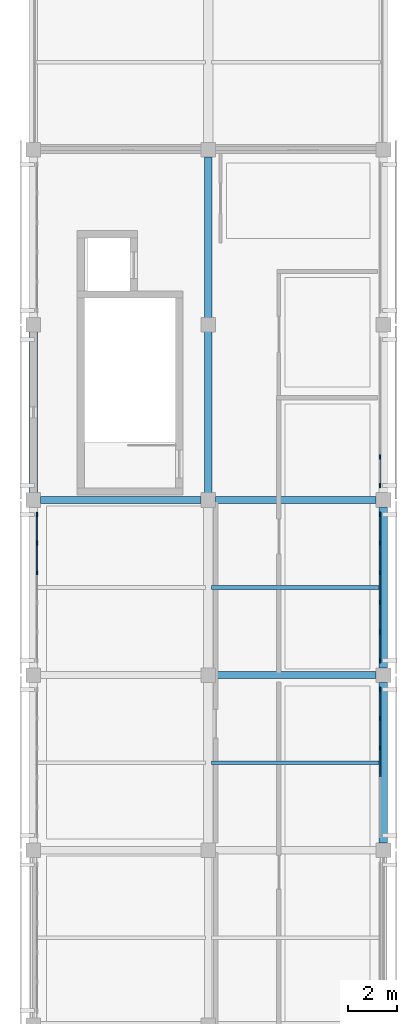
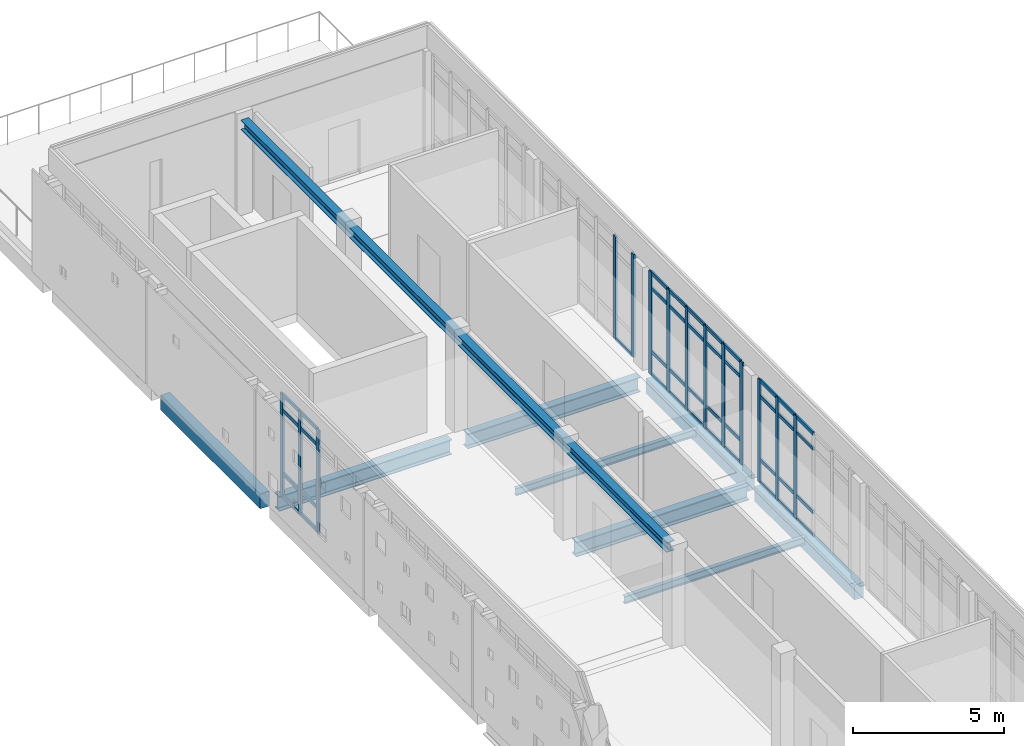
# One storey, part 7 of 19: 55 members, 9 beams, 4 elements without a shape of their own.
"""IFC4 building model written with IfcOpenShell, lengths in metres."""

from ifc_helpers import new_model, si_unit, direction, frame, origin, origin_2d, place, context, subcontext, project, spatial, rectangle, i_section, extrude, material, layer, layer_set, material_profile, profile_set, type_object, element, aggregate, save


model = new_model("IFC4")

# Units and contexts
model_context = context("Model", 3, precision=1e-05, world=origin(), true_north=direction((0.0, 1.0)))
body_context = subcontext(model_context, "Body", "Model", "MODEL_VIEW")
ifc_project = project(units=[si_unit("LENGTHUNIT", "METRE"), si_unit("AREAUNIT", "SQUARE_METRE"), si_unit("VOLUMEUNIT", "CUBIC_METRE"), si_unit("PLANEANGLEUNIT", "RADIAN"), si_unit("MASSUNIT", "GRAM", prefix="KILO")], contexts=[model_context])

# Site, building, storey
site_placement = place(None, origin())
site = spatial("IfcSite", under=ifc_project, at=site_placement, CompositionType="ELEMENT")
building_placement = place(site_placement, origin())
building = spatial("IfcBuilding", under=site, at=building_placement, Name="Valkovuoma Quantum and Materials Research Institute", CompositionType="ELEMENT")
storey_placement = place(building_placement, frame((0.0, 0.0, 38.080078125)))
storey = spatial("IfcBuildingStorey", under=building, at=storey_placement, Name="L09", CompositionType="ELEMENT", Elevation=38.080078125)

# Beams
ifc_material_1 = material(Name="Steel S355J2", Category="steel")
ifc_material_profile_1 = material_profile(ifc_material_1, i_section(OverallWidth=0.300048828125, OverallDepth=0.389892578125, WebThickness=0.010986328125, FlangeThickness=0.01904296875, FilletRadius=0.027099609375, at=origin_2d()), Name="Steel S355J2")
ifc_profile_set_1 = profile_set([ifc_material_profile_1], Name="Steel S355J2")
beam_type_1 = type_object("IfcBeamType", Name="Beam-B-HEA400", PredefinedType="SPANDREL", material=ifc_profile_set_1)
beam_1_placement = place(storey_placement, frame((7.199951171875, 57.89990234375, 3.679931640625), z_axis=(0.0, 1.0, 0.0), x_axis=(-1.0, 0.0, 0.0)))
element("IfcBeam", 1, at=beam_1_placement, inside=storey, type_object=beam_type_1, Name="L09 dry-lab north roof spine girder", PredefinedType="SPANDREL", context=body_context, shape_type="SweptSolid", body=[
    extrude(i_section(OverallWidth=0.300048828125, OverallDepth=0.389892578125, WebThickness=0.010986328125, FlangeThickness=0.01904296875, FilletRadius=0.027099609375, at=origin_2d()), origin(), (0.0, 0.0, 1.0), 28.2001953125),
])
ifc_material_2 = material(Name="Steel S355J2", Category="steel")
ifc_material_profile_2 = material_profile(ifc_material_2, i_section(OverallWidth=0.300048828125, OverallDepth=0.60009765625, WebThickness=0.015380859375, FlangeThickness=0.030029296875, FilletRadius=0.027099609375, at=origin_2d()), Name="Steel S355J2")
ifc_profile_set_2 = profile_set([ifc_material_profile_2], Name="Steel S355J2")
beam_type_2 = type_object("IfcBeamType", Name="Beam-B-HEB600", PredefinedType="BEAM", material=ifc_profile_set_2)
beam_2_placement = place(storey_placement, frame((7.5, 64.800048828125, -0.650146484375), z_axis=(1.0, 0.0, 0.0), x_axis=(0.0, 1.0, 0.0)))
element("IfcBeam", 2, at=beam_2_placement, inside=storey, type_object=beam_type_2, Name="L09 beam X-2581", PredefinedType="BEAM", context=body_context, shape_type="SweptSolid", body=[
    extrude(i_section(OverallWidth=0.300048828125, OverallDepth=0.60009765625, WebThickness=0.015380859375, FlangeThickness=0.030029296875, FilletRadius=0.027099609375, at=origin_2d()), origin(), (0.0, 0.0, 1.0), 6.60009765625),
])
beam_3_placement = place(storey_placement, frame((0.300048828125, 72.0, -0.650146484375), z_axis=(1.0, 0.0, 0.0), x_axis=(0.0, 1.0, 0.0)))
element("IfcBeam", 3, at=beam_3_placement, inside=storey, type_object=beam_type_2, Name="L09 beam X-2582", PredefinedType="BEAM", context=body_context, shape_type="SweptSolid", body=[
    extrude(i_section(OverallWidth=0.300048828125, OverallDepth=0.60009765625, WebThickness=0.015380859375, FlangeThickness=0.030029296875, FilletRadius=0.027099609375, at=origin_2d()), origin(), (0.0, 0.0, 1.0), 6.599853515625),
])
beam_4_placement = place(storey_placement, frame((7.5, 72.0, -0.650146484375), z_axis=(1.0, 0.0, 0.0), x_axis=(0.0, 1.0, 0.0)))
element("IfcBeam", 4, at=beam_4_placement, inside=storey, type_object=beam_type_2, Name="L09 beam X-2583", PredefinedType="BEAM", context=body_context, shape_type="SweptSolid", body=[
    extrude(i_section(OverallWidth=0.300048828125, OverallDepth=0.60009765625, WebThickness=0.015380859375, FlangeThickness=0.030029296875, FilletRadius=0.027099609375, at=origin_2d()), origin(), (0.0, 0.0, 1.0), 6.60009765625),
])
ifc_material_3 = material(Name="Steel S355J2", Category="steel")
ifc_material_profile_3 = material_profile(ifc_material_3, i_section(OverallWidth=0.14990234375, OverallDepth=0.300048828125, WebThickness=0.007080078125, FlangeThickness=0.0107421875, FilletRadius=0.014892578125, at=origin_2d()), Name="Steel S355J2")
ifc_profile_set_3 = profile_set([ifc_material_profile_3], Name="Steel S355J2")
beam_type_3 = type_object("IfcBeamType", Name="Beam-B-JST300", PredefinedType="JOIST", material=ifc_profile_set_3)
for number, where, z_axis, x_axis, name in (
    (5, (7.320068359375, 61.199951171875, -0.5), (1.0, 0.0, 0.0), (0.0, 1.0, 0.0), "L09 floor joist 2607"),
    (6, (7.320068359375, 68.39990234375, -0.5), (1.0, 0.0, 0.0), (0.0, 1.0, 0.0), "L09 floor joist 2609"),
):
    element("IfcBeam", number, at=place(storey_placement, frame(where, z_axis=z_axis, x_axis=x_axis)), inside=storey, type_object=beam_type_3, Name=name, PredefinedType="JOIST", context=body_context, shape_type="SweptSolid", body=[
        extrude(i_section(OverallWidth=0.14990234375, OverallDepth=0.300048828125, WebThickness=0.007080078125, FlangeThickness=0.0107421875, FilletRadius=0.014892578125, at=origin_2d()), origin(), (0.0, 0.0, 1.0), 6.9599609375),
    ])
ifc_material_4 = material(Name="Concrete C40/50", Category="concrete")
ifc_material_profile_4 = material_profile(ifc_material_4, rectangle(XDim=0.35009765625, YDim=0.60009765625, at=origin_2d()), Name="Concrete C40/50")
ifc_profile_set_4 = profile_set([ifc_material_profile_4], Name="Concrete C40/50")
beam_type_4 = type_object("IfcBeamType", Name="Beam-B-SPN600", PredefinedType="SPANDREL", material=ifc_profile_set_4)
beam_5_placement = place(storey_placement, frame((0.0, 72.300048828125, -0.650146484375), z_axis=(0.0, 1.0, 0.0), x_axis=(-1.0, 0.0, 0.0)))
element("IfcBeam", 7, at=beam_5_placement, inside=storey, type_object=beam_type_4, Name="L09 beam Y-2590", PredefinedType="SPANDREL", context=body_context, shape_type="SweptSolid", body=[
    extrude(rectangle(XDim=0.35009765625, YDim=0.60009765625, at=origin_2d()), origin(), (0.0, 0.0, 1.0), 6.599853515625),
])
beam_6_placement = place(storey_placement, frame((14.39990234375, 57.89990234375, -0.650146484375), z_axis=(0.0, 1.0, 0.0), x_axis=(-1.0, 0.0, 0.0)))
element("IfcBeam", 8, at=beam_6_placement, inside=storey, type_object=beam_type_4, Name="L09 beam Y-2596", PredefinedType="SPANDREL", context=body_context, shape_type="SweptSolid", body=[
    extrude(rectangle(XDim=0.35009765625, YDim=0.60009765625, at=origin_2d()), origin(), (0.0, 0.0, 1.0), 6.60009765625),
])
beam_7_placement = place(storey_placement, frame((14.39990234375, 65.10009765625, -0.650146484375), z_axis=(0.0, 1.0, 0.0), x_axis=(-1.0, 0.0, 0.0)))
element("IfcBeam", 9, at=beam_7_placement, inside=storey, type_object=beam_type_4, Name="L09 beam Y-2597", PredefinedType="SPANDREL", context=body_context, shape_type="SweptSolid", body=[
    extrude(rectangle(XDim=0.35009765625, YDim=0.60009765625, at=origin_2d()), origin(), (0.0, 0.0, 1.0), 6.599853515625),
])

# Curtain wall, members
ifc_material_5 = material(Name="Thermally broken aluminium and triple low-E glazing", Category="aluminium")
ifc_layer = layer(ifc_material_5, 0.219970703125)
ifc_layer_set = layer_set([ifc_layer], Name="Thermally broken aluminium and triple low-E glazing")
curtain_wall_type = type_object("IfcCurtainWallType", Name="CW-CW-01", PredefinedType="NOTDEFINED", material=ifc_layer_set)
curtain_wall_1_placement = place(storey_placement, origin())
curtain_wall_1 = element("IfcCurtainWall", 10, at=curtain_wall_1_placement, inside=storey, type_object=curtain_wall_type, Name="L09 curtain wall 137", PredefinedType="NOTDEFINED")
ifc_material_6 = material(Name="Anodised aluminium 6060-T66", Category="aluminium")
ifc_material_profile_5 = material_profile(ifc_material_6, rectangle(XDim=0.06494140625, YDim=0.179931640625, at=origin_2d()), Name="Anodised aluminium 6060-T66")
ifc_profile_set_5 = profile_set([ifc_material_profile_5], Name="Anodised aluminium 6060-T66")
member_type_1 = type_object("IfcMemberType", Name="CWMull-CWM-01", PredefinedType="MULLION", material=ifc_profile_set_5)
member_1_placement = place(storey_placement, frame((14.25, 61.80859375, 0.0), z_axis=(0.0, 0.0, 1.0), x_axis=(-1.0, 0.0, 0.0)))
member_1 = element("IfcMember", 11, at=member_1_placement, type_object=member_type_1, Name="CW-01 mullion 4", PredefinedType="MULLION", context=body_context, shape_type="SweptSolid", body=[
    extrude(rectangle(XDim=0.06494140625, YDim=0.179931640625, at=origin_2d()), origin(), (0.0, 0.0, 1.0), 4.159912109375),
])
member_2_placement = place(storey_placement, frame((14.25, 63.025634765625, 0.0), z_axis=(0.0, 0.0, 1.0), x_axis=(-1.0, 0.0, 0.0)))
member_2 = element("IfcMember", 12, at=member_2_placement, type_object=member_type_1, Name="CW-01 mullion 5", PredefinedType="MULLION", context=body_context, shape_type="SweptSolid", body=[
    extrude(rectangle(XDim=0.06494140625, YDim=0.179931640625, at=origin_2d()), origin(), (0.0, 0.0, 1.0), 4.159912109375),
])
member_3_placement = place(storey_placement, frame((14.25, 64.21044921875, 0.0), z_axis=(0.0, 0.0, 1.0), x_axis=(-1.0, 0.0, 0.0)))
member_3 = element("IfcMember", 13, at=member_3_placement, type_object=member_type_1, Name="CW-01 mullion 6", PredefinedType="MULLION", context=body_context, shape_type="SweptSolid", body=[
    extrude(rectangle(XDim=0.06494140625, YDim=0.179931640625, at=origin_2d()), origin(), (0.0, 0.0, 1.0), 4.159912109375),
])

curtain_wall_2_placement = place(storey_placement, origin())
curtain_wall_2 = element("IfcCurtainWall", 14, at=curtain_wall_2_placement, inside=storey, type_object=curtain_wall_type, Name="L09 curtain wall 138", PredefinedType="NOTDEFINED")
member_4_placement = place(storey_placement, frame((0.14990234375, 69.008544921875, 0.0), z_axis=(0.0, 0.0, 1.0), x_axis=(-1.0, 0.0, 0.0)))
member_4 = element("IfcMember", 15, at=member_4_placement, type_object=member_type_1, Name="CW-01 mullion 4", PredefinedType="MULLION", context=body_context, shape_type="SweptSolid", body=[
    extrude(rectangle(XDim=0.06494140625, YDim=0.179931640625, at=origin_2d()), origin(), (0.0, 0.0, 1.0), 4.159912109375),
])
member_5_placement = place(storey_placement, frame((0.14990234375, 70.225830078125, 0.0), z_axis=(0.0, 0.0, 1.0), x_axis=(-1.0, 0.0, 0.0)))
member_5 = element("IfcMember", 16, at=member_5_placement, type_object=member_type_1, Name="CW-01 mullion 5", PredefinedType="MULLION", context=body_context, shape_type="SweptSolid", body=[
    extrude(rectangle(XDim=0.06494140625, YDim=0.179931640625, at=origin_2d()), origin(), (0.0, 0.0, 1.0), 4.159912109375),
])
member_6_placement = place(storey_placement, frame((0.14990234375, 71.410400390625, 0.0), z_axis=(0.0, 0.0, 1.0), x_axis=(-1.0, 0.0, 0.0)))
member_6 = element("IfcMember", 17, at=member_6_placement, type_object=member_type_1, Name="CW-01 mullion 6", PredefinedType="MULLION", context=body_context, shape_type="SweptSolid", body=[
    extrude(rectangle(XDim=0.06494140625, YDim=0.179931640625, at=origin_2d()), origin(), (0.0, 0.0, 1.0), 4.159912109375),
])

curtain_wall_3_placement = place(storey_placement, origin())
curtain_wall_3 = element("IfcCurtainWall", 18, at=curtain_wall_3_placement, inside=storey, type_object=curtain_wall_type, Name="L09 curtain wall 139", PredefinedType="NOTDEFINED")
member_7_placement = place(storey_placement, frame((14.25, 65.3896484375, 0.0), z_axis=(0.0, 0.0, 1.0), x_axis=(-1.0, 0.0, 0.0)))
member_7 = element("IfcMember", 19, at=member_7_placement, type_object=member_type_1, Name="CW-01 mullion 1", PredefinedType="MULLION", context=body_context, shape_type="SweptSolid", body=[
    extrude(rectangle(XDim=0.06494140625, YDim=0.179931640625, at=origin_2d()), origin(), (0.0, 0.0, 1.0), 4.159912109375),
])
member_8_placement = place(storey_placement, frame((14.25, 66.57421875, 0.0), z_axis=(0.0, 0.0, 1.0), x_axis=(-1.0, 0.0, 0.0)))
member_8 = element("IfcMember", 20, at=member_8_placement, type_object=member_type_1, Name="CW-01 mullion 2", PredefinedType="MULLION", context=body_context, shape_type="SweptSolid", body=[
    extrude(rectangle(XDim=0.06494140625, YDim=0.179931640625, at=origin_2d()), origin(), (0.0, 0.0, 1.0), 4.159912109375),
])
member_9_placement = place(storey_placement, frame((14.25, 67.79150390625, 0.0), z_axis=(0.0, 0.0, 1.0), x_axis=(-1.0, 0.0, 0.0)))
member_9 = element("IfcMember", 21, at=member_9_placement, type_object=member_type_1, Name="CW-01 mullion 3", PredefinedType="MULLION", context=body_context, shape_type="SweptSolid", body=[
    extrude(rectangle(XDim=0.06494140625, YDim=0.179931640625, at=origin_2d()), origin(), (0.0, 0.0, 1.0), 4.159912109375),
])
member_10_placement = place(storey_placement, frame((14.25, 69.008544921875, 0.0), z_axis=(0.0, 0.0, 1.0), x_axis=(-1.0, 0.0, 0.0)))
member_10 = element("IfcMember", 22, at=member_10_placement, type_object=member_type_1, Name="CW-01 mullion 4", PredefinedType="MULLION", context=body_context, shape_type="SweptSolid", body=[
    extrude(rectangle(XDim=0.06494140625, YDim=0.179931640625, at=origin_2d()), origin(), (0.0, 0.0, 1.0), 4.159912109375),
])
member_11_placement = place(storey_placement, frame((14.25, 70.225830078125, 0.0), z_axis=(0.0, 0.0, 1.0), x_axis=(-1.0, 0.0, 0.0)))
member_11 = element("IfcMember", 23, at=member_11_placement, type_object=member_type_1, Name="CW-01 mullion 5", PredefinedType="MULLION", context=body_context, shape_type="SweptSolid", body=[
    extrude(rectangle(XDim=0.06494140625, YDim=0.179931640625, at=origin_2d()), origin(), (0.0, 0.0, 1.0), 4.159912109375),
])
member_12_placement = place(storey_placement, frame((14.25, 71.410400390625, 0.0), z_axis=(0.0, 0.0, 1.0), x_axis=(-1.0, 0.0, 0.0)))
member_12 = element("IfcMember", 24, at=member_12_placement, type_object=member_type_1, Name="CW-01 mullion 6", PredefinedType="MULLION", context=body_context, shape_type="SweptSolid", body=[
    extrude(rectangle(XDim=0.06494140625, YDim=0.179931640625, at=origin_2d()), origin(), (0.0, 0.0, 1.0), 4.159912109375),
])

curtain_wall_4_placement = place(storey_placement, origin())
curtain_wall_4 = element("IfcCurtainWall", 25, at=curtain_wall_4_placement, inside=storey, type_object=curtain_wall_type, Name="L09 curtain wall 140", PredefinedType="NOTDEFINED")
member_13_placement = place(storey_placement, frame((14.25, 72.589599609375, 0.0), z_axis=(0.0, 0.0, 1.0), x_axis=(-1.0, 0.0, 0.0)))
member_13 = element("IfcMember", 26, at=member_13_placement, type_object=member_type_1, Name="CW-01 mullion 1", PredefinedType="MULLION", context=body_context, shape_type="SweptSolid", body=[
    extrude(rectangle(XDim=0.06494140625, YDim=0.179931640625, at=origin_2d()), origin(), (0.0, 0.0, 1.0), 4.159912109375),
])
member_14_placement = place(storey_placement, frame((14.25, 73.774169921875, 0.0), z_axis=(0.0, 0.0, 1.0), x_axis=(-1.0, 0.0, 0.0)))
member_14 = element("IfcMember", 27, at=member_14_placement, type_object=member_type_1, Name="CW-01 mullion 2", PredefinedType="MULLION", context=body_context, shape_type="SweptSolid", body=[
    extrude(rectangle(XDim=0.06494140625, YDim=0.179931640625, at=origin_2d()), origin(), (0.0, 0.0, 1.0), 4.159912109375),
])

# Member
ifc_material_7 = material(Name="Anodised aluminium 6060-T66", Category="aluminium")
ifc_material_profile_6 = material_profile(ifc_material_7, rectangle(XDim=0.06494140625, YDim=0.139892578125, at=origin_2d()), Name="Anodised aluminium 6060-T66")
ifc_profile_set_6 = profile_set([ifc_material_profile_6], Name="Anodised aluminium 6060-T66")
member_type_2 = type_object("IfcMemberType", Name="CWTran-CWT-01", PredefinedType="USERDEFINED", material=ifc_profile_set_6)
member_15_placement = place(storey_placement, frame((14.25, 60.6240234375, 0.032470703125), z_axis=(0.0, 1.0, 0.0), x_axis=(-1.0, 0.0, 0.0)))
member_15 = element("IfcMember", 28, at=member_15_placement, type_object=member_type_2, Name="CW-01 transom 3.1", ObjectType="TRANSOM", PredefinedType="USERDEFINED", context=body_context, shape_type="SweptSolid", body=[
    extrude(rectangle(XDim=0.06494140625, YDim=0.139892578125, at=origin_2d()), origin(), (0.0, 0.0, 1.0), 1.152099609375),
])

member_16_placement = place(storey_placement, frame((14.25, 60.6240234375, 0.949951171875), z_axis=(0.0, 1.0, 0.0), x_axis=(-1.0, 0.0, 0.0)))
member_16 = element("IfcMember", 29, at=member_16_placement, type_object=member_type_2, Name="CW-01 transom 3.2", ObjectType="TRANSOM", PredefinedType="USERDEFINED", context=body_context, shape_type="SweptSolid", body=[
    extrude(rectangle(XDim=0.06494140625, YDim=0.139892578125, at=origin_2d()), origin(), (0.0, 0.0, 1.0), 1.152099609375),
])

member_17_placement = place(storey_placement, frame((14.25, 60.6240234375, 3.510009765625), z_axis=(0.0, 1.0, 0.0), x_axis=(-1.0, 0.0, 0.0)))
member_17 = element("IfcMember", 30, at=member_17_placement, type_object=member_type_2, Name="CW-01 transom 3.3", ObjectType="TRANSOM", PredefinedType="USERDEFINED", context=body_context, shape_type="SweptSolid", body=[
    extrude(rectangle(XDim=0.06494140625, YDim=0.139892578125, at=origin_2d()), origin(), (0.0, 0.0, 1.0), 1.152099609375),
])

member_18_placement = place(storey_placement, frame((14.25, 60.6240234375, 4.12744140625), z_axis=(0.0, 1.0, 0.0), x_axis=(-1.0, 0.0, 0.0)))
member_18 = element("IfcMember", 31, at=member_18_placement, type_object=member_type_2, Name="CW-01 transom 3.4", ObjectType="TRANSOM", PredefinedType="USERDEFINED", context=body_context, shape_type="SweptSolid", body=[
    extrude(rectangle(XDim=0.06494140625, YDim=0.139892578125, at=origin_2d()), origin(), (0.0, 0.0, 1.0), 1.152099609375),
])

member_19_placement = place(storey_placement, frame((14.25, 61.841064453125, 0.032470703125), z_axis=(0.0, 1.0, 0.0), x_axis=(-1.0, 0.0, 0.0)))
member_19 = element("IfcMember", 32, at=member_19_placement, type_object=member_type_2, Name="CW-01 transom 4.1", ObjectType="TRANSOM", PredefinedType="USERDEFINED", context=body_context, shape_type="SweptSolid", body=[
    extrude(rectangle(XDim=0.06494140625, YDim=0.139892578125, at=origin_2d()), origin(), (0.0, 0.0, 1.0), 1.152099609375),
])

member_20_placement = place(storey_placement, frame((14.25, 61.841064453125, 0.949951171875), z_axis=(0.0, 1.0, 0.0), x_axis=(-1.0, 0.0, 0.0)))
member_20 = element("IfcMember", 33, at=member_20_placement, type_object=member_type_2, Name="CW-01 transom 4.2", ObjectType="TRANSOM", PredefinedType="USERDEFINED", context=body_context, shape_type="SweptSolid", body=[
    extrude(rectangle(XDim=0.06494140625, YDim=0.139892578125, at=origin_2d()), origin(), (0.0, 0.0, 1.0), 1.152099609375),
])

member_21_placement = place(storey_placement, frame((14.25, 61.841064453125, 3.510009765625), z_axis=(0.0, 1.0, 0.0), x_axis=(-1.0, 0.0, 0.0)))
member_21 = element("IfcMember", 34, at=member_21_placement, type_object=member_type_2, Name="CW-01 transom 4.3", ObjectType="TRANSOM", PredefinedType="USERDEFINED", context=body_context, shape_type="SweptSolid", body=[
    extrude(rectangle(XDim=0.06494140625, YDim=0.139892578125, at=origin_2d()), origin(), (0.0, 0.0, 1.0), 1.152099609375),
])

member_22_placement = place(storey_placement, frame((14.25, 61.841064453125, 4.12744140625), z_axis=(0.0, 1.0, 0.0), x_axis=(-1.0, 0.0, 0.0)))
member_22 = element("IfcMember", 35, at=member_22_placement, type_object=member_type_2, Name="CW-01 transom 4.4", ObjectType="TRANSOM", PredefinedType="USERDEFINED", context=body_context, shape_type="SweptSolid", body=[
    extrude(rectangle(XDim=0.06494140625, YDim=0.139892578125, at=origin_2d()), origin(), (0.0, 0.0, 1.0), 1.152099609375),
])

member_23_placement = place(storey_placement, frame((14.25, 63.058349609375, 0.032470703125), z_axis=(0.0, 1.0, 0.0), x_axis=(-1.0, 0.0, 0.0)))
member_23 = element("IfcMember", 36, at=member_23_placement, type_object=member_type_2, Name="CW-01 transom 5.1", ObjectType="TRANSOM", PredefinedType="USERDEFINED", context=body_context, shape_type="SweptSolid", body=[
    extrude(rectangle(XDim=0.06494140625, YDim=0.139892578125, at=origin_2d()), origin(), (0.0, 0.0, 1.0), 1.11962890625),
])

member_24_placement = place(storey_placement, frame((14.25, 63.058349609375, 0.949951171875), z_axis=(0.0, 1.0, 0.0), x_axis=(-1.0, 0.0, 0.0)))
member_24 = element("IfcMember", 37, at=member_24_placement, type_object=member_type_2, Name="CW-01 transom 5.2", ObjectType="TRANSOM", PredefinedType="USERDEFINED", context=body_context, shape_type="SweptSolid", body=[
    extrude(rectangle(XDim=0.06494140625, YDim=0.139892578125, at=origin_2d()), origin(), (0.0, 0.0, 1.0), 1.11962890625),
])

member_25_placement = place(storey_placement, frame((14.25, 63.058349609375, 3.510009765625), z_axis=(0.0, 1.0, 0.0), x_axis=(-1.0, 0.0, 0.0)))
member_25 = element("IfcMember", 38, at=member_25_placement, type_object=member_type_2, Name="CW-01 transom 5.3", ObjectType="TRANSOM", PredefinedType="USERDEFINED", context=body_context, shape_type="SweptSolid", body=[
    extrude(rectangle(XDim=0.06494140625, YDim=0.139892578125, at=origin_2d()), origin(), (0.0, 0.0, 1.0), 1.11962890625),
])

member_26_placement = place(storey_placement, frame((14.25, 63.058349609375, 4.12744140625), z_axis=(0.0, 1.0, 0.0), x_axis=(-1.0, 0.0, 0.0)))
member_26 = element("IfcMember", 39, at=member_26_placement, type_object=member_type_2, Name="CW-01 transom 5.4", ObjectType="TRANSOM", PredefinedType="USERDEFINED", context=body_context, shape_type="SweptSolid", body=[
    extrude(rectangle(XDim=0.06494140625, YDim=0.139892578125, at=origin_2d()), origin(), (0.0, 0.0, 1.0), 1.11962890625),
])

aggregate(curtain_wall_1, [member_1, member_2, member_3, member_15, member_16, member_17, member_18, member_19, member_20, member_21, member_22, member_23, member_24, member_25, member_26])

member_27_placement = place(storey_placement, frame((0.14990234375, 69.041015625, 0.032470703125), z_axis=(0.0, 1.0, 0.0), x_axis=(-1.0, 0.0, 0.0)))
member_27 = element("IfcMember", 40, at=member_27_placement, type_object=member_type_2, Name="CW-01 transom 4.1", ObjectType="TRANSOM", PredefinedType="USERDEFINED", context=body_context, shape_type="SweptSolid", body=[
    extrude(rectangle(XDim=0.06494140625, YDim=0.139892578125, at=origin_2d()), origin(), (0.0, 0.0, 1.0), 1.15234375),
])

member_28_placement = place(storey_placement, frame((0.14990234375, 69.041015625, 0.949951171875), z_axis=(0.0, 1.0, 0.0), x_axis=(-1.0, 0.0, 0.0)))
member_28 = element("IfcMember", 41, at=member_28_placement, type_object=member_type_2, Name="CW-01 transom 4.2", ObjectType="TRANSOM", PredefinedType="USERDEFINED", context=body_context, shape_type="SweptSolid", body=[
    extrude(rectangle(XDim=0.06494140625, YDim=0.139892578125, at=origin_2d()), origin(), (0.0, 0.0, 1.0), 1.15234375),
])

member_29_placement = place(storey_placement, frame((0.14990234375, 69.041015625, 3.510009765625), z_axis=(0.0, 1.0, 0.0), x_axis=(-1.0, 0.0, 0.0)))
member_29 = element("IfcMember", 42, at=member_29_placement, type_object=member_type_2, Name="CW-01 transom 4.3", ObjectType="TRANSOM", PredefinedType="USERDEFINED", context=body_context, shape_type="SweptSolid", body=[
    extrude(rectangle(XDim=0.06494140625, YDim=0.139892578125, at=origin_2d()), origin(), (0.0, 0.0, 1.0), 1.15234375),
])

member_30_placement = place(storey_placement, frame((0.14990234375, 69.041015625, 4.12744140625), z_axis=(0.0, 1.0, 0.0), x_axis=(-1.0, 0.0, 0.0)))
member_30 = element("IfcMember", 43, at=member_30_placement, type_object=member_type_2, Name="CW-01 transom 4.4", ObjectType="TRANSOM", PredefinedType="USERDEFINED", context=body_context, shape_type="SweptSolid", body=[
    extrude(rectangle(XDim=0.06494140625, YDim=0.139892578125, at=origin_2d()), origin(), (0.0, 0.0, 1.0), 1.15234375),
])

member_31_placement = place(storey_placement, frame((0.14990234375, 70.25830078125, 0.032470703125), z_axis=(0.0, 1.0, 0.0), x_axis=(-1.0, 0.0, 0.0)))
member_31 = element("IfcMember", 44, at=member_31_placement, type_object=member_type_2, Name="CW-01 transom 5.1", ObjectType="TRANSOM", PredefinedType="USERDEFINED", context=body_context, shape_type="SweptSolid", body=[
    extrude(rectangle(XDim=0.06494140625, YDim=0.139892578125, at=origin_2d()), origin(), (0.0, 0.0, 1.0), 1.11962890625),
])

member_32_placement = place(storey_placement, frame((0.14990234375, 70.25830078125, 0.949951171875), z_axis=(0.0, 1.0, 0.0), x_axis=(-1.0, 0.0, 0.0)))
member_32 = element("IfcMember", 45, at=member_32_placement, type_object=member_type_2, Name="CW-01 transom 5.2", ObjectType="TRANSOM", PredefinedType="USERDEFINED", context=body_context, shape_type="SweptSolid", body=[
    extrude(rectangle(XDim=0.06494140625, YDim=0.139892578125, at=origin_2d()), origin(), (0.0, 0.0, 1.0), 1.11962890625),
])

member_33_placement = place(storey_placement, frame((0.14990234375, 70.25830078125, 3.510009765625), z_axis=(0.0, 1.0, 0.0), x_axis=(-1.0, 0.0, 0.0)))
member_33 = element("IfcMember", 46, at=member_33_placement, type_object=member_type_2, Name="CW-01 transom 5.3", ObjectType="TRANSOM", PredefinedType="USERDEFINED", context=body_context, shape_type="SweptSolid", body=[
    extrude(rectangle(XDim=0.06494140625, YDim=0.139892578125, at=origin_2d()), origin(), (0.0, 0.0, 1.0), 1.11962890625),
])

member_34_placement = place(storey_placement, frame((0.14990234375, 70.25830078125, 4.12744140625), z_axis=(0.0, 1.0, 0.0), x_axis=(-1.0, 0.0, 0.0)))
member_34 = element("IfcMember", 47, at=member_34_placement, type_object=member_type_2, Name="CW-01 transom 5.4", ObjectType="TRANSOM", PredefinedType="USERDEFINED", context=body_context, shape_type="SweptSolid", body=[
    extrude(rectangle(XDim=0.06494140625, YDim=0.139892578125, at=origin_2d()), origin(), (0.0, 0.0, 1.0), 1.11962890625),
])

aggregate(curtain_wall_2, [member_4, member_5, member_6, member_27, member_28, member_29, member_30, member_31, member_32, member_33, member_34])

member_35_placement = place(storey_placement, frame((14.25, 65.422119140625, 0.032470703125), z_axis=(0.0, 1.0, 0.0), x_axis=(-1.0, 0.0, 0.0)))
member_35 = element("IfcMember", 48, at=member_35_placement, type_object=member_type_2, Name="CW-01 transom 1.1", ObjectType="TRANSOM", PredefinedType="USERDEFINED", context=body_context, shape_type="SweptSolid", body=[
    extrude(rectangle(XDim=0.06494140625, YDim=0.139892578125, at=origin_2d()), origin(), (0.0, 0.0, 1.0), 1.11962890625),
])

member_36_placement = place(storey_placement, frame((14.25, 65.422119140625, 0.949951171875), z_axis=(0.0, 1.0, 0.0), x_axis=(-1.0, 0.0, 0.0)))
member_36 = element("IfcMember", 49, at=member_36_placement, type_object=member_type_2, Name="CW-01 transom 1.2", ObjectType="TRANSOM", PredefinedType="USERDEFINED", context=body_context, shape_type="SweptSolid", body=[
    extrude(rectangle(XDim=0.06494140625, YDim=0.139892578125, at=origin_2d()), origin(), (0.0, 0.0, 1.0), 1.11962890625),
])

member_37_placement = place(storey_placement, frame((14.25, 65.422119140625, 3.510009765625), z_axis=(0.0, 1.0, 0.0), x_axis=(-1.0, 0.0, 0.0)))
member_37 = element("IfcMember", 50, at=member_37_placement, type_object=member_type_2, Name="CW-01 transom 1.3", ObjectType="TRANSOM", PredefinedType="USERDEFINED", context=body_context, shape_type="SweptSolid", body=[
    extrude(rectangle(XDim=0.06494140625, YDim=0.139892578125, at=origin_2d()), origin(), (0.0, 0.0, 1.0), 1.11962890625),
])

member_38_placement = place(storey_placement, frame((14.25, 65.422119140625, 4.12744140625), z_axis=(0.0, 1.0, 0.0), x_axis=(-1.0, 0.0, 0.0)))
member_38 = element("IfcMember", 51, at=member_38_placement, type_object=member_type_2, Name="CW-01 transom 1.4", ObjectType="TRANSOM", PredefinedType="USERDEFINED", context=body_context, shape_type="SweptSolid", body=[
    extrude(rectangle(XDim=0.06494140625, YDim=0.139892578125, at=origin_2d()), origin(), (0.0, 0.0, 1.0), 1.11962890625),
])

member_39_placement = place(storey_placement, frame((14.25, 66.606689453125, 0.032470703125), z_axis=(0.0, 1.0, 0.0), x_axis=(-1.0, 0.0, 0.0)))
member_39 = element("IfcMember", 52, at=member_39_placement, type_object=member_type_2, Name="CW-01 transom 2.1", ObjectType="TRANSOM", PredefinedType="USERDEFINED", context=body_context, shape_type="SweptSolid", body=[
    extrude(rectangle(XDim=0.06494140625, YDim=0.139892578125, at=origin_2d()), origin(), (0.0, 0.0, 1.0), 1.15234375),
])

member_40_placement = place(storey_placement, frame((14.25, 66.606689453125, 0.949951171875), z_axis=(0.0, 1.0, 0.0), x_axis=(-1.0, 0.0, 0.0)))
member_40 = element("IfcMember", 53, at=member_40_placement, type_object=member_type_2, Name="CW-01 transom 2.2", ObjectType="TRANSOM", PredefinedType="USERDEFINED", context=body_context, shape_type="SweptSolid", body=[
    extrude(rectangle(XDim=0.06494140625, YDim=0.139892578125, at=origin_2d()), origin(), (0.0, 0.0, 1.0), 1.15234375),
])

member_41_placement = place(storey_placement, frame((14.25, 66.606689453125, 3.510009765625), z_axis=(0.0, 1.0, 0.0), x_axis=(-1.0, 0.0, 0.0)))
member_41 = element("IfcMember", 54, at=member_41_placement, type_object=member_type_2, Name="CW-01 transom 2.3", ObjectType="TRANSOM", PredefinedType="USERDEFINED", context=body_context, shape_type="SweptSolid", body=[
    extrude(rectangle(XDim=0.06494140625, YDim=0.139892578125, at=origin_2d()), origin(), (0.0, 0.0, 1.0), 1.15234375),
])

member_42_placement = place(storey_placement, frame((14.25, 66.606689453125, 4.12744140625), z_axis=(0.0, 1.0, 0.0), x_axis=(-1.0, 0.0, 0.0)))
member_42 = element("IfcMember", 55, at=member_42_placement, type_object=member_type_2, Name="CW-01 transom 2.4", ObjectType="TRANSOM", PredefinedType="USERDEFINED", context=body_context, shape_type="SweptSolid", body=[
    extrude(rectangle(XDim=0.06494140625, YDim=0.139892578125, at=origin_2d()), origin(), (0.0, 0.0, 1.0), 1.15234375),
])

member_43_placement = place(storey_placement, frame((14.25, 67.823974609375, 0.032470703125), z_axis=(0.0, 1.0, 0.0), x_axis=(-1.0, 0.0, 0.0)))
member_43 = element("IfcMember", 56, at=member_43_placement, type_object=member_type_2, Name="CW-01 transom 3.1", ObjectType="TRANSOM", PredefinedType="USERDEFINED", context=body_context, shape_type="SweptSolid", body=[
    extrude(rectangle(XDim=0.06494140625, YDim=0.139892578125, at=origin_2d()), origin(), (0.0, 0.0, 1.0), 1.152099609375),
])

member_44_placement = place(storey_placement, frame((14.25, 67.823974609375, 0.949951171875), z_axis=(0.0, 1.0, 0.0), x_axis=(-1.0, 0.0, 0.0)))
member_44 = element("IfcMember", 57, at=member_44_placement, type_object=member_type_2, Name="CW-01 transom 3.2", ObjectType="TRANSOM", PredefinedType="USERDEFINED", context=body_context, shape_type="SweptSolid", body=[
    extrude(rectangle(XDim=0.06494140625, YDim=0.139892578125, at=origin_2d()), origin(), (0.0, 0.0, 1.0), 1.152099609375),
])

member_45_placement = place(storey_placement, frame((14.25, 67.823974609375, 3.510009765625), z_axis=(0.0, 1.0, 0.0), x_axis=(-1.0, 0.0, 0.0)))
member_45 = element("IfcMember", 58, at=member_45_placement, type_object=member_type_2, Name="CW-01 transom 3.3", ObjectType="TRANSOM", PredefinedType="USERDEFINED", context=body_context, shape_type="SweptSolid", body=[
    extrude(rectangle(XDim=0.06494140625, YDim=0.139892578125, at=origin_2d()), origin(), (0.0, 0.0, 1.0), 1.152099609375),
])

member_46_placement = place(storey_placement, frame((14.25, 67.823974609375, 4.12744140625), z_axis=(0.0, 1.0, 0.0), x_axis=(-1.0, 0.0, 0.0)))
member_46 = element("IfcMember", 59, at=member_46_placement, type_object=member_type_2, Name="CW-01 transom 3.4", ObjectType="TRANSOM", PredefinedType="USERDEFINED", context=body_context, shape_type="SweptSolid", body=[
    extrude(rectangle(XDim=0.06494140625, YDim=0.139892578125, at=origin_2d()), origin(), (0.0, 0.0, 1.0), 1.152099609375),
])

member_47_placement = place(storey_placement, frame((14.25, 69.041015625, 0.032470703125), z_axis=(0.0, 1.0, 0.0), x_axis=(-1.0, 0.0, 0.0)))
member_47 = element("IfcMember", 60, at=member_47_placement, type_object=member_type_2, Name="CW-01 transom 4.1", ObjectType="TRANSOM", PredefinedType="USERDEFINED", context=body_context, shape_type="SweptSolid", body=[
    extrude(rectangle(XDim=0.06494140625, YDim=0.139892578125, at=origin_2d()), origin(), (0.0, 0.0, 1.0), 1.15234375),
])

member_48_placement = place(storey_placement, frame((14.25, 69.041015625, 0.949951171875), z_axis=(0.0, 1.0, 0.0), x_axis=(-1.0, 0.0, 0.0)))
member_48 = element("IfcMember", 61, at=member_48_placement, type_object=member_type_2, Name="CW-01 transom 4.2", ObjectType="TRANSOM", PredefinedType="USERDEFINED", context=body_context, shape_type="SweptSolid", body=[
    extrude(rectangle(XDim=0.06494140625, YDim=0.139892578125, at=origin_2d()), origin(), (0.0, 0.0, 1.0), 1.15234375),
])

member_49_placement = place(storey_placement, frame((14.25, 69.041015625, 3.510009765625), z_axis=(0.0, 1.0, 0.0), x_axis=(-1.0, 0.0, 0.0)))
member_49 = element("IfcMember", 62, at=member_49_placement, type_object=member_type_2, Name="CW-01 transom 4.3", ObjectType="TRANSOM", PredefinedType="USERDEFINED", context=body_context, shape_type="SweptSolid", body=[
    extrude(rectangle(XDim=0.06494140625, YDim=0.139892578125, at=origin_2d()), origin(), (0.0, 0.0, 1.0), 1.15234375),
])

member_50_placement = place(storey_placement, frame((14.25, 69.041015625, 4.12744140625), z_axis=(0.0, 1.0, 0.0), x_axis=(-1.0, 0.0, 0.0)))
member_50 = element("IfcMember", 63, at=member_50_placement, type_object=member_type_2, Name="CW-01 transom 4.4", ObjectType="TRANSOM", PredefinedType="USERDEFINED", context=body_context, shape_type="SweptSolid", body=[
    extrude(rectangle(XDim=0.06494140625, YDim=0.139892578125, at=origin_2d()), origin(), (0.0, 0.0, 1.0), 1.15234375),
])

member_51_placement = place(storey_placement, frame((14.25, 70.25830078125, 0.032470703125), z_axis=(0.0, 1.0, 0.0), x_axis=(-1.0, 0.0, 0.0)))
member_51 = element("IfcMember", 64, at=member_51_placement, type_object=member_type_2, Name="CW-01 transom 5.1", ObjectType="TRANSOM", PredefinedType="USERDEFINED", context=body_context, shape_type="SweptSolid", body=[
    extrude(rectangle(XDim=0.06494140625, YDim=0.139892578125, at=origin_2d()), origin(), (0.0, 0.0, 1.0), 1.11962890625),
])

member_52_placement = place(storey_placement, frame((14.25, 70.25830078125, 0.949951171875), z_axis=(0.0, 1.0, 0.0), x_axis=(-1.0, 0.0, 0.0)))
member_52 = element("IfcMember", 65, at=member_52_placement, type_object=member_type_2, Name="CW-01 transom 5.2", ObjectType="TRANSOM", PredefinedType="USERDEFINED", context=body_context, shape_type="SweptSolid", body=[
    extrude(rectangle(XDim=0.06494140625, YDim=0.139892578125, at=origin_2d()), origin(), (0.0, 0.0, 1.0), 1.11962890625),
])

member_53_placement = place(storey_placement, frame((14.25, 70.25830078125, 3.510009765625), z_axis=(0.0, 1.0, 0.0), x_axis=(-1.0, 0.0, 0.0)))
member_53 = element("IfcMember", 66, at=member_53_placement, type_object=member_type_2, Name="CW-01 transom 5.3", ObjectType="TRANSOM", PredefinedType="USERDEFINED", context=body_context, shape_type="SweptSolid", body=[
    extrude(rectangle(XDim=0.06494140625, YDim=0.139892578125, at=origin_2d()), origin(), (0.0, 0.0, 1.0), 1.11962890625),
])

member_54_placement = place(storey_placement, frame((14.25, 70.25830078125, 4.12744140625), z_axis=(0.0, 1.0, 0.0), x_axis=(-1.0, 0.0, 0.0)))
member_54 = element("IfcMember", 67, at=member_54_placement, type_object=member_type_2, Name="CW-01 transom 5.4", ObjectType="TRANSOM", PredefinedType="USERDEFINED", context=body_context, shape_type="SweptSolid", body=[
    extrude(rectangle(XDim=0.06494140625, YDim=0.139892578125, at=origin_2d()), origin(), (0.0, 0.0, 1.0), 1.11962890625),
])

aggregate(curtain_wall_3, [member_7, member_8, member_9, member_10, member_11, member_12, member_35, member_36, member_37, member_38, member_39, member_40, member_41, member_42, member_43, member_44, member_45, member_46, member_47, member_48, member_49, member_50, member_51, member_52, member_53, member_54])

member_55_placement = place(storey_placement, frame((14.25, 72.6220703125, 0.032470703125), z_axis=(0.0, 1.0, 0.0), x_axis=(-1.0, 0.0, 0.0)))
member_55 = element("IfcMember", 68, at=member_55_placement, type_object=member_type_2, Name="CW-01 transom 1.1", ObjectType="TRANSOM", PredefinedType="USERDEFINED", context=body_context, shape_type="SweptSolid", body=[
    extrude(rectangle(XDim=0.06494140625, YDim=0.139892578125, at=origin_2d()), origin(), (0.0, 0.0, 1.0), 1.11962890625),
])

aggregate(curtain_wall_4, [member_13, member_14, member_55])

save(model, "model.ifc")
